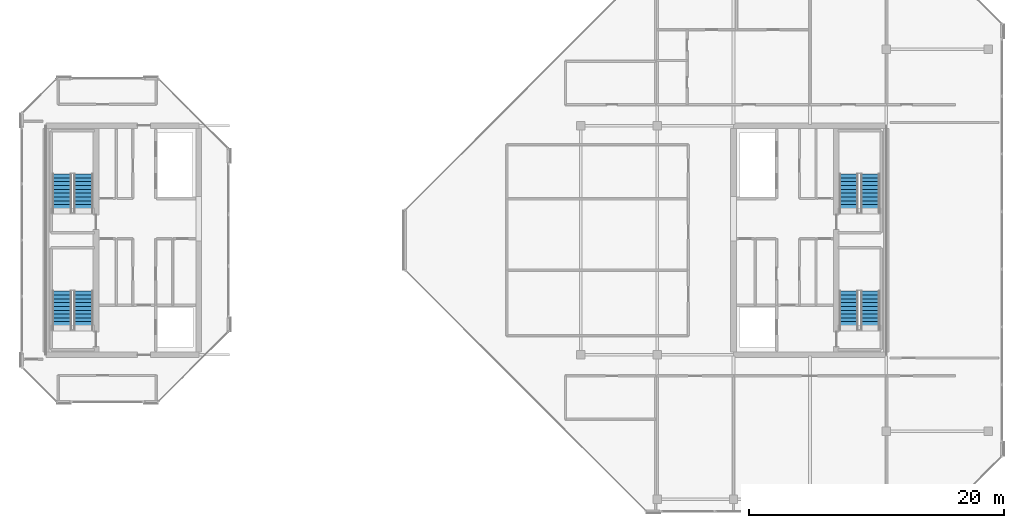
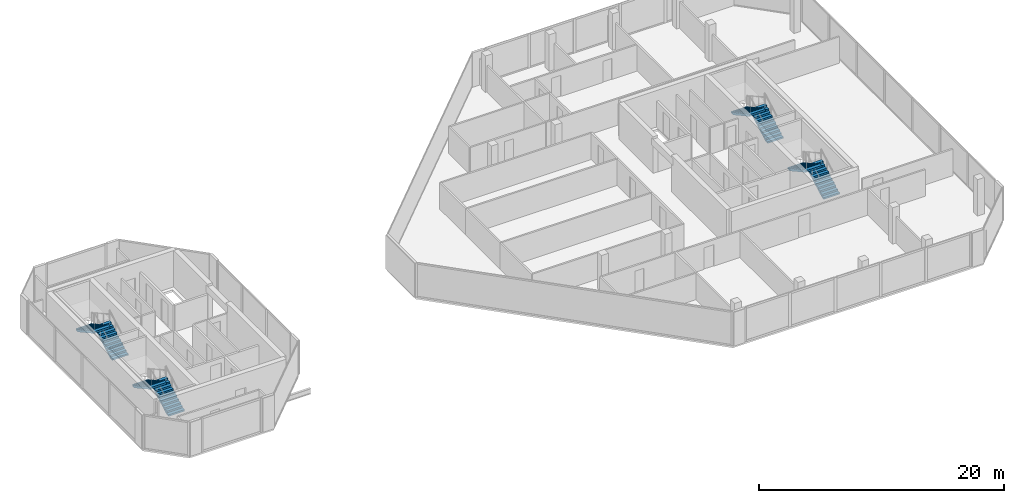
# One storey, part 27 of 30: 8 stair flights, 4 elements without a shape of their own.
"""IFC4 building model written with IfcOpenShell, lengths in metres."""

from ifc_helpers import new_model, si_unit, direction, frame, origin, place, context, subcontext, project, spatial, polyline, outline, extrude, material, type_object, element, aggregate, save


model = new_model("IFC4")

# Units and contexts
model_context = context("Model", 3, precision=1e-05, world=origin(), true_north=direction((0.0, 1.0)))
body_context = subcontext(model_context, "Body", "Model", "MODEL_VIEW")
ifc_project = project(units=[si_unit("LENGTHUNIT", "METRE"), si_unit("AREAUNIT", "SQUARE_METRE"), si_unit("VOLUMEUNIT", "CUBIC_METRE"), si_unit("PLANEANGLEUNIT", "RADIAN"), si_unit("MASSUNIT", "GRAM", prefix="KILO")], contexts=[model_context])

# Site, building, storey
site_placement = place(None, origin())
site = spatial("IfcSite", under=ifc_project, at=site_placement, CompositionType="ELEMENT")
building_placement = place(site_placement, origin())
building = spatial("IfcBuilding", under=site, at=building_placement, Name="Tanjung Sevakor Pilgrim Tower", CompositionType="ELEMENT")
storey_placement = place(building_placement, frame((0.0, 0.0, 253.43994140625)))
storey = spatial("IfcBuildingStorey", under=building, at=storey_placement, Name="L71", CompositionType="ELEMENT", Elevation=253.43994140625)

# Stair, stair flights
ifc_material_1 = material(Name="Concrete C40/50", Category="concrete")
stair_type = type_object("IfcStairType", Name="STAIR-ST-CR150", PredefinedType="HALF_TURN_STAIR", material=ifc_material_1)
stair_1_placement = place(storey_placement, origin())
stair_1 = element("IfcStair", 1, at=stair_1_placement, inside=storey, type_object=stair_type, Name="L71 West Core Exit Stair 1", PredefinedType="HALF_TURN_STAIR")
ifc_material_2 = material(Name="Concrete C40/50", Category="concrete")
stair_flight_type = type_object("IfcStairFlightType", Name="FLIGHT-ST-CR150", PredefinedType="STRAIGHT", material=ifc_material_2)
stair_flight_1_placement = place(storey_placement, frame((26.949951171875, 26.60009765625, 0.0), z_axis=(0.0, 0.0, 1.0), x_axis=(0.0, 1.0, 0.0)))
stair_flight_1 = element("IfcStairFlight", 2, at=stair_flight_1_placement, type_object=stair_flight_type, Name="TS-W1 flight 1", NumberOfRisers=11, NumberOfTreads=10, PredefinedType="STRAIGHT", RiserHeight=0.165, TreadLength=0.3, context=body_context, shape_type="SweptSolid", body=[
    extrude(outline(polyline([(0.0, 0.0), (0.0, 0.1650390625), (0.300048828125, 0.1650390625), (0.300048828125, 0.330078125), (0.60009765625, 0.330078125), (0.60009765625, 0.4951171875), (0.89990234375, 0.4951171875), (0.89990234375, 0.659912109375), (1.199951171875, 0.659912109375), (1.199951171875, 0.824951171875), (1.5, 0.824951171875), (1.5, 0.989990234375), (1.800048828125, 0.989990234375), (1.800048828125, 1.155029296875), (2.10009765625, 1.155029296875), (2.10009765625, 1.320068359375), (2.39990234375, 1.320068359375), (2.39990234375, 1.485107421875), (2.699951171875, 1.485107421875), (2.699951171875, 1.64990234375), (3.0, 1.64990234375), (3.0, 1.81494140625), (3.0, 1.467529296875), (0.331787109375, 0.0), (0.0, 0.0)])), frame((0.0, 0.75, 0.0), z_axis=(0.0, -1.0, 0.0), x_axis=(1.0, 0.0, 0.0)), (0.0, 0.0, 1.0), 1.5),
])
stair_flight_2_placement = place(storey_placement, frame((25.25, 29.60009765625, 1.81494140625), z_axis=(0.0, 0.0, 1.0), x_axis=(0.0, -1.0, 0.0)))
stair_flight_2 = element("IfcStairFlight", 3, at=stair_flight_2_placement, type_object=stair_flight_type, Name="TS-W1 flight 2", NumberOfRisers=11, NumberOfTreads=10, PredefinedType="STRAIGHT", RiserHeight=0.165, TreadLength=0.3, context=body_context, shape_type="SweptSolid", body=[
    extrude(outline(polyline([(0.0, 0.0), (0.0, 0.1650390625), (0.300048828125, 0.1650390625), (0.300048828125, 0.330078125), (0.60009765625, 0.330078125), (0.60009765625, 0.4951171875), (0.89990234375, 0.4951171875), (0.89990234375, 0.659912109375), (1.199951171875, 0.659912109375), (1.199951171875, 0.824951171875), (1.5, 0.824951171875), (1.5, 0.989990234375), (1.800048828125, 0.989990234375), (1.800048828125, 1.155029296875), (2.10009765625, 1.155029296875), (2.10009765625, 1.320068359375), (2.39990234375, 1.320068359375), (2.39990234375, 1.485107421875), (2.699951171875, 1.485107421875), (2.699951171875, 1.64990234375), (3.0, 1.64990234375), (3.0, 1.81494140625), (3.0, 1.467529296875), (0.331787109375, 0.0), (0.0, 0.0)])), frame((0.0, 0.75, 0.0), z_axis=(0.0, -1.0, 0.0), x_axis=(1.0, 0.0, 0.0)), (0.0, 0.0, 1.0), 1.5),
])
aggregate(stair_1, [stair_flight_1, stair_flight_2])

stair_2_placement = place(storey_placement, origin())
stair_2 = element("IfcStair", 4, at=stair_2_placement, inside=storey, type_object=stair_type, Name="L71 West Core Exit Stair 2", PredefinedType="HALF_TURN_STAIR")
stair_flight_3_placement = place(storey_placement, frame((26.949951171875, 35.800048828125, 0.0), z_axis=(0.0, 0.0, 1.0), x_axis=(0.0, 1.0, 0.0)))
stair_flight_3 = element("IfcStairFlight", 5, at=stair_flight_3_placement, type_object=stair_flight_type, Name="TS-W2 flight 1", NumberOfRisers=11, NumberOfTreads=10, PredefinedType="STRAIGHT", RiserHeight=0.165, TreadLength=0.3, context=body_context, shape_type="SweptSolid", body=[
    extrude(outline(polyline([(0.0, 0.0), (0.0, 0.1650390625), (0.300048828125, 0.1650390625), (0.300048828125, 0.330078125), (0.60009765625, 0.330078125), (0.60009765625, 0.4951171875), (0.89990234375, 0.4951171875), (0.89990234375, 0.659912109375), (1.199951171875, 0.659912109375), (1.199951171875, 0.824951171875), (1.5, 0.824951171875), (1.5, 0.989990234375), (1.800048828125, 0.989990234375), (1.800048828125, 1.155029296875), (2.10009765625, 1.155029296875), (2.10009765625, 1.320068359375), (2.39990234375, 1.320068359375), (2.39990234375, 1.485107421875), (2.699951171875, 1.485107421875), (2.699951171875, 1.64990234375), (3.0, 1.64990234375), (3.0, 1.81494140625), (3.0, 1.467529296875), (0.331787109375, 0.0), (0.0, 0.0)])), frame((0.0, 0.75, 0.0), z_axis=(0.0, -1.0, 0.0), x_axis=(1.0, 0.0, 0.0)), (0.0, 0.0, 1.0), 1.5),
])
stair_flight_4_placement = place(storey_placement, frame((25.25, 38.800048828125, 1.81494140625), z_axis=(0.0, 0.0, 1.0), x_axis=(0.0, -1.0, 0.0)))
stair_flight_4 = element("IfcStairFlight", 6, at=stair_flight_4_placement, type_object=stair_flight_type, Name="TS-W2 flight 2", NumberOfRisers=11, NumberOfTreads=10, PredefinedType="STRAIGHT", RiserHeight=0.165, TreadLength=0.3, context=body_context, shape_type="SweptSolid", body=[
    extrude(outline(polyline([(0.0, 0.0), (0.0, 0.1650390625), (0.300048828125, 0.1650390625), (0.300048828125, 0.330078125), (0.60009765625, 0.330078125), (0.60009765625, 0.4951171875), (0.89990234375, 0.4951171875), (0.89990234375, 0.659912109375), (1.199951171875, 0.659912109375), (1.199951171875, 0.824951171875), (1.5, 0.824951171875), (1.5, 0.989990234375), (1.800048828125, 0.989990234375), (1.800048828125, 1.155029296875), (2.10009765625, 1.155029296875), (2.10009765625, 1.320068359375), (2.39990234375, 1.320068359375), (2.39990234375, 1.485107421875), (2.699951171875, 1.485107421875), (2.699951171875, 1.64990234375), (3.0, 1.64990234375), (3.0, 1.81494140625), (3.0, 1.467529296875), (0.331787109375, 0.0), (0.0, 0.0)])), frame((0.0, 0.75, 0.0), z_axis=(0.0, -1.0, 0.0), x_axis=(1.0, 0.0, 0.0)), (0.0, 0.0, 1.0), 1.5),
])
aggregate(stair_2, [stair_flight_3, stair_flight_4])

stair_3_placement = place(storey_placement, origin())
stair_3 = element("IfcStair", 7, at=stair_3_placement, inside=storey, type_object=stair_type, Name="L71 East Core Exit Stair 1", PredefinedType="HALF_TURN_STAIR")
stair_flight_5_placement = place(storey_placement, frame((88.75, 26.60009765625, 0.0), z_axis=(0.0, 0.0, 1.0), x_axis=(0.0, 1.0, 0.0)))
stair_flight_5 = element("IfcStairFlight", 8, at=stair_flight_5_placement, type_object=stair_flight_type, Name="TS-E1 flight 1", NumberOfRisers=11, NumberOfTreads=10, PredefinedType="STRAIGHT", RiserHeight=0.165, TreadLength=0.3, context=body_context, shape_type="SweptSolid", body=[
    extrude(outline(polyline([(0.0, 0.0), (0.0, 0.1650390625), (0.300048828125, 0.1650390625), (0.300048828125, 0.330078125), (0.60009765625, 0.330078125), (0.60009765625, 0.4951171875), (0.89990234375, 0.4951171875), (0.89990234375, 0.659912109375), (1.199951171875, 0.659912109375), (1.199951171875, 0.824951171875), (1.5, 0.824951171875), (1.5, 0.989990234375), (1.800048828125, 0.989990234375), (1.800048828125, 1.155029296875), (2.10009765625, 1.155029296875), (2.10009765625, 1.320068359375), (2.39990234375, 1.320068359375), (2.39990234375, 1.485107421875), (2.699951171875, 1.485107421875), (2.699951171875, 1.64990234375), (3.0, 1.64990234375), (3.0, 1.81494140625), (3.0, 1.467529296875), (0.331787109375, 0.0), (0.0, 0.0)])), frame((0.0, 0.75, 0.0), z_axis=(0.0, -1.0, 0.0), x_axis=(1.0, 0.0, 0.0)), (0.0, 0.0, 1.0), 1.5),
])
stair_flight_6_placement = place(storey_placement, frame((87.050048828125, 29.60009765625, 1.81494140625), z_axis=(0.0, 0.0, 1.0), x_axis=(0.0, -1.0, 0.0)))
stair_flight_6 = element("IfcStairFlight", 9, at=stair_flight_6_placement, type_object=stair_flight_type, Name="TS-E1 flight 2", NumberOfRisers=11, NumberOfTreads=10, PredefinedType="STRAIGHT", RiserHeight=0.165, TreadLength=0.3, context=body_context, shape_type="SweptSolid", body=[
    extrude(outline(polyline([(0.0, 0.0), (0.0, 0.1650390625), (0.300048828125, 0.1650390625), (0.300048828125, 0.330078125), (0.60009765625, 0.330078125), (0.60009765625, 0.4951171875), (0.89990234375, 0.4951171875), (0.89990234375, 0.659912109375), (1.199951171875, 0.659912109375), (1.199951171875, 0.824951171875), (1.5, 0.824951171875), (1.5, 0.989990234375), (1.800048828125, 0.989990234375), (1.800048828125, 1.155029296875), (2.10009765625, 1.155029296875), (2.10009765625, 1.320068359375), (2.39990234375, 1.320068359375), (2.39990234375, 1.485107421875), (2.699951171875, 1.485107421875), (2.699951171875, 1.64990234375), (3.0, 1.64990234375), (3.0, 1.81494140625), (3.0, 1.467529296875), (0.331787109375, 0.0), (0.0, 0.0)])), frame((0.0, 0.75, 0.0), z_axis=(0.0, -1.0, 0.0), x_axis=(1.0, 0.0, 0.0)), (0.0, 0.0, 1.0), 1.5),
])
aggregate(stair_3, [stair_flight_5, stair_flight_6])

stair_4_placement = place(storey_placement, origin())
stair_4 = element("IfcStair", 10, at=stair_4_placement, inside=storey, type_object=stair_type, Name="L71 East Core Exit Stair 2", PredefinedType="HALF_TURN_STAIR")
stair_flight_7_placement = place(storey_placement, frame((88.75, 35.800048828125, 0.0), z_axis=(0.0, 0.0, 1.0), x_axis=(0.0, 1.0, 0.0)))
stair_flight_7 = element("IfcStairFlight", 11, at=stair_flight_7_placement, type_object=stair_flight_type, Name="TS-E2 flight 1", NumberOfRisers=11, NumberOfTreads=10, PredefinedType="STRAIGHT", RiserHeight=0.165, TreadLength=0.3, context=body_context, shape_type="SweptSolid", body=[
    extrude(outline(polyline([(0.0, 0.0), (0.0, 0.1650390625), (0.300048828125, 0.1650390625), (0.300048828125, 0.330078125), (0.60009765625, 0.330078125), (0.60009765625, 0.4951171875), (0.89990234375, 0.4951171875), (0.89990234375, 0.659912109375), (1.199951171875, 0.659912109375), (1.199951171875, 0.824951171875), (1.5, 0.824951171875), (1.5, 0.989990234375), (1.800048828125, 0.989990234375), (1.800048828125, 1.155029296875), (2.10009765625, 1.155029296875), (2.10009765625, 1.320068359375), (2.39990234375, 1.320068359375), (2.39990234375, 1.485107421875), (2.699951171875, 1.485107421875), (2.699951171875, 1.64990234375), (3.0, 1.64990234375), (3.0, 1.81494140625), (3.0, 1.467529296875), (0.331787109375, 0.0), (0.0, 0.0)])), frame((0.0, 0.75, 0.0), z_axis=(0.0, -1.0, 0.0), x_axis=(1.0, 0.0, 0.0)), (0.0, 0.0, 1.0), 1.5),
])
stair_flight_8_placement = place(storey_placement, frame((87.050048828125, 38.800048828125, 1.81494140625), z_axis=(0.0, 0.0, 1.0), x_axis=(0.0, -1.0, 0.0)))
stair_flight_8 = element("IfcStairFlight", 12, at=stair_flight_8_placement, type_object=stair_flight_type, Name="TS-E2 flight 2", NumberOfRisers=11, NumberOfTreads=10, PredefinedType="STRAIGHT", RiserHeight=0.165, TreadLength=0.3, context=body_context, shape_type="SweptSolid", body=[
    extrude(outline(polyline([(0.0, 0.0), (0.0, 0.1650390625), (0.300048828125, 0.1650390625), (0.300048828125, 0.330078125), (0.60009765625, 0.330078125), (0.60009765625, 0.4951171875), (0.89990234375, 0.4951171875), (0.89990234375, 0.659912109375), (1.199951171875, 0.659912109375), (1.199951171875, 0.824951171875), (1.5, 0.824951171875), (1.5, 0.989990234375), (1.800048828125, 0.989990234375), (1.800048828125, 1.155029296875), (2.10009765625, 1.155029296875), (2.10009765625, 1.320068359375), (2.39990234375, 1.320068359375), (2.39990234375, 1.485107421875), (2.699951171875, 1.485107421875), (2.699951171875, 1.64990234375), (3.0, 1.64990234375), (3.0, 1.81494140625), (3.0, 1.467529296875), (0.331787109375, 0.0), (0.0, 0.0)])), frame((0.0, 0.75, 0.0), z_axis=(0.0, -1.0, 0.0), x_axis=(1.0, 0.0, 0.0)), (0.0, 0.0, 1.0), 1.5),
])
aggregate(stair_4, [stair_flight_7, stair_flight_8])

save(model, "model.ifc")
